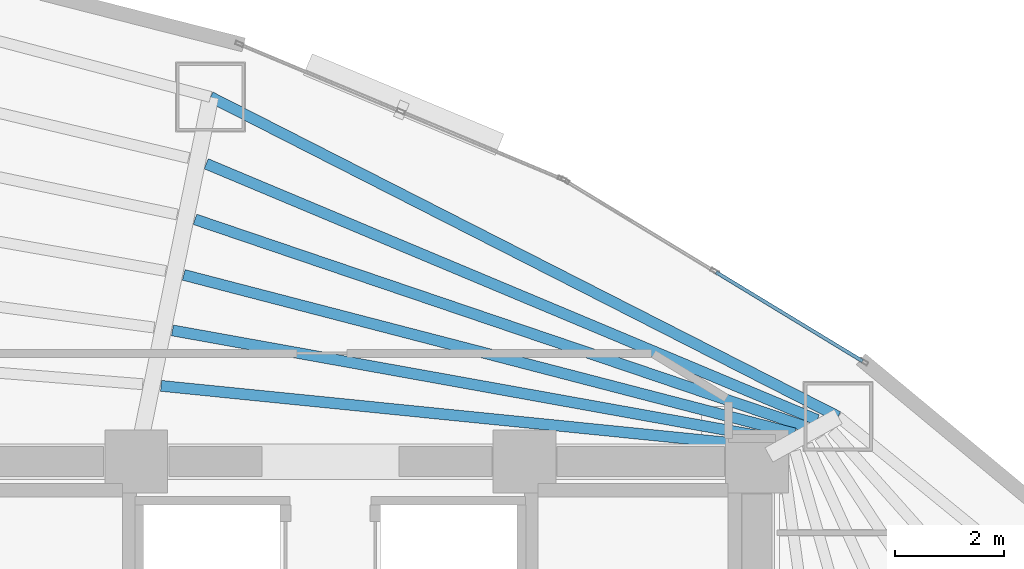
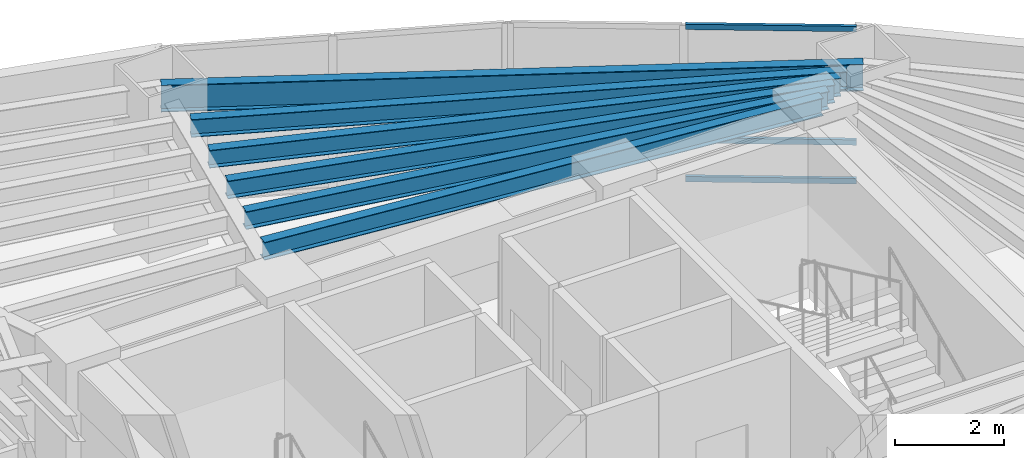
# One storey, part 10 of 18: 6 beams, 3 members, 1 element without a shape of its own.
"""IFC4 building model written with IfcOpenShell, lengths in metres."""

from ifc_helpers import new_model, si_unit, direction, frame, origin, origin_2d, place, context, subcontext, project, spatial, hollow_rectangle, i_section, extrude, material, layer, layer_set, material_profile, profile_set, type_object, element, aggregate, save


model = new_model("IFC4")

# Units and contexts
model_context = context("Model", 3, precision=1e-05, world=origin(), true_north=direction((0.0, 1.0)))
body_context = subcontext(model_context, "Body", "Model", "MODEL_VIEW")
ifc_project = project(units=[si_unit("LENGTHUNIT", "METRE"), si_unit("AREAUNIT", "SQUARE_METRE"), si_unit("VOLUMEUNIT", "CUBIC_METRE"), si_unit("PLANEANGLEUNIT", "RADIAN"), si_unit("MASSUNIT", "GRAM", prefix="KILO")], contexts=[model_context])

# Site, building, storey
site_placement = place(None, origin())
site = spatial("IfcSite", under=ifc_project, at=site_placement, CompositionType="ELEMENT")
building_placement = place(site_placement, origin())
building = spatial("IfcBuilding", under=site, at=building_placement, Name="Menara Vayukalpa", CompositionType="ELEMENT")
storey_placement = place(building_placement, frame((0.0, 0.0, 89.10009765625)))
storey = spatial("IfcBuildingStorey", under=building, at=storey_placement, Name="L21", CompositionType="ELEMENT", Elevation=89.10009765625)

# Beams
ifc_material_1 = material(Name="Steel S355", Category="steel")
ifc_material_profile_1 = material_profile(ifc_material_1, i_section(OverallWidth=0.199951171875, OverallDepth=0.39990234375, WebThickness=0.008056640625, FlangeThickness=0.012939453125, at=origin_2d()), Name="WF 400x200x8x13")
ifc_profile_set_1 = profile_set([ifc_material_profile_1], Name="Steel S355")
beam_type_1 = type_object("IfcBeamType", Name="BM-SJ2", PredefinedType="JOIST", material=ifc_profile_set_1)
beam_1_placement = place(storey_placement, frame((33.677978515625, 27.06396484375, 3.27001953125), z_axis=(-0.995012836574, 0.099746955103, 0.0), x_axis=(-0.099746955103, -0.995012836574, 0.0)))
element("IfcBeam", 1, at=beam_1_placement, inside=storey, type_object=beam_type_1, Name="L21 Secondary Floor Joist SJ02-1", PredefinedType="JOIST", context=body_context, shape_type="SweptSolid", body=[
    extrude(i_section(OverallWidth=0.199951171875, OverallDepth=0.39990234375, WebThickness=0.008056640625, FlangeThickness=0.012939453125, at=origin_2d()), origin(), (0.0, 0.0, 1.0), 11.2294921875),
])
beam_2_placement = place(storey_placement, frame((33.882568359375, 27.189208984375, 3.27001953125), z_axis=(-0.984205443357, 0.177030068819, 0.0), x_axis=(-0.177030068819, -0.984205443357, 0.0)))
element("IfcBeam", 2, at=beam_2_placement, inside=storey, type_object=beam_type_1, Name="L21 Secondary Floor Joist SJ02-2", PredefinedType="JOIST", context=body_context, shape_type="SweptSolid", body=[
    extrude(i_section(OverallWidth=0.199951171875, OverallDepth=0.39990234375, WebThickness=0.008056640625, FlangeThickness=0.012939453125, at=origin_2d()), origin(), (0.0, 0.0, 1.0), 11.349853515625),
])
beam_3_placement = place(storey_placement, frame((34.08837890625, 27.31396484375, 3.27001953125), z_axis=(-0.967921665574, 0.251252162802, 0.0), x_axis=(-0.251252162802, -0.967921665574, 0.0)))
element("IfcBeam", 3, at=beam_3_placement, inside=storey, type_object=beam_type_1, Name="L21 Secondary Floor Joist SJ02-3", PredefinedType="JOIST", context=body_context, shape_type="SweptSolid", body=[
    extrude(i_section(OverallWidth=0.199951171875, OverallDepth=0.39990234375, WebThickness=0.008056640625, FlangeThickness=0.012939453125, at=origin_2d()), origin(), (0.0, 0.0, 1.0), 11.539794921875),
])
beam_4_placement = place(storey_placement, frame((34.294677734375, 27.43798828125, 3.27001953125), z_axis=(-0.94694934653, 0.321382848183, 0.0), x_axis=(-0.321382848183, -0.94694934653, 0.0)))
element("IfcBeam", 4, at=beam_4_placement, inside=storey, type_object=beam_type_1, Name="L21 Secondary Floor Joist SJ02-4", PredefinedType="JOIST", context=body_context, shape_type="SweptSolid", body=[
    extrude(i_section(OverallWidth=0.199951171875, OverallDepth=0.39990234375, WebThickness=0.008056640625, FlangeThickness=0.012939453125, at=origin_2d()), origin(), (0.0, 0.0, 1.0), 11.7958984375),
])
beam_5_placement = place(storey_placement, frame((34.501708984375, 27.561279296875, 3.27001953125), z_axis=(-0.922216637658, 0.386673600375, 0.0), x_axis=(-0.386673600375, -0.922216637658, 0.0)))
element("IfcBeam", 5, at=beam_5_placement, inside=storey, type_object=beam_type_1, Name="L21 Secondary Floor Joist SJ02-5", PredefinedType="JOIST", context=body_context, shape_type="SweptSolid", body=[
    extrude(i_section(OverallWidth=0.199951171875, OverallDepth=0.39990234375, WebThickness=0.008056640625, FlangeThickness=0.012939453125, at=origin_2d()), origin(), (0.0, 0.0, 1.0), 12.114501953125),
])
ifc_material_2 = material(Name="Steel S355", Category="steel")
ifc_material_profile_2 = material_profile(ifc_material_2, i_section(OverallWidth=0.199951171875, OverallDepth=0.60009765625, WebThickness=0.010986328125, FlangeThickness=0.01708984375, at=origin_2d()), Name="WF 600x200x11x17")
ifc_profile_set_2 = profile_set([ifc_material_profile_2], Name="Steel S355")
beam_type_2 = type_object("IfcBeamType", Name="BM-SP1", PredefinedType="SPANDREL", material=ifc_profile_set_2)
beam_6_placement = place(storey_placement, frame((34.88671875, 27.62158203125, 3.169921875), z_axis=(-0.891097345221, 0.453812209333, 0.0), x_axis=(-0.453812209333, -0.891097345221, 0.0)))
element("IfcBeam", 6, at=beam_6_placement, inside=storey, type_object=beam_type_2, Name="L21 Perimeter Spandrel Beam SP02", PredefinedType="SPANDREL", context=body_context, shape_type="SweptSolid", body=[
    extrude(i_section(OverallWidth=0.199951171875, OverallDepth=0.60009765625, WebThickness=0.010986328125, FlangeThickness=0.01708984375, at=origin_2d()), origin(), (0.0, 0.0, 1.0), 12.88134765625),
])

# Curtain wall, members
ifc_material_3 = material(Name="Anodised Terracotta Aluminium Alloy 6063-T6", Category="masonry")
ifc_layer = layer(ifc_material_3, 0.14990234375)
ifc_layer_set = layer_set([ifc_layer], Name="Anodised Terracotta Aluminium Alloy 6063-T6")
curtain_wall_type = type_object("IfcCurtainWallType", Name="CW-CW3", PredefinedType="USERDEFINED", material=ifc_layer_set)
curtain_wall_placement = place(storey_placement, origin())
curtain_wall = element("IfcCurtainWall", 7, at=curtain_wall_placement, inside=storey, type_object=curtain_wall_type, Name="L21 Mid Rise Terracotta Ribbon Curtain Wall CW3 04", ObjectType="UNITISED", PredefinedType="USERDEFINED")
ifc_material_4 = material(Name="Anodised Terracotta Aluminium Alloy 6063-T6", Category="masonry")
ifc_material_profile_3 = material_profile(ifc_material_4, hollow_rectangle(XDim=0.06494140625, YDim=0.1201171875, WallThickness=0.00341796875, at=origin_2d()), Name="ALU 65x120x3.5")
ifc_profile_set_3 = profile_set([ifc_material_profile_3], Name="Anodised Terracotta Aluminium Alloy 6063-T6")
member_type = type_object("IfcMemberType", Name="CWT-CW3", PredefinedType="USERDEFINED", material=ifc_profile_set_3)
member_1_placement = place(storey_placement, frame((35.33056640625, 28.6357421875, 0.032470703125), z_axis=(-0.854673871166, 0.519165266506, 0.0), x_axis=(-0.519165266506, -0.854673871166, 0.0)))
member_1 = element("IfcMember", 8, at=member_1_placement, type_object=member_type, Name="CW3 transom 1.1", ObjectType="TRANSOM", PredefinedType="USERDEFINED", context=body_context, shape_type="SweptSolid", body=[
    extrude(hollow_rectangle(XDim=0.06494140625, YDim=0.1201171875, WallThickness=0.00341796875, at=origin_2d()), origin(), (0.0, 0.0, 1.0), 3.1318359375),
])
member_2_placement = place(storey_placement, frame((35.33056640625, 28.6357421875, 0.89990234375), z_axis=(-0.854673871166, 0.519165266506, 0.0), x_axis=(-0.519165266506, -0.854673871166, 0.0)))
member_2 = element("IfcMember", 9, at=member_2_placement, type_object=member_type, Name="CW3 transom 1.2", ObjectType="TRANSOM", PredefinedType="USERDEFINED", context=body_context, shape_type="SweptSolid", body=[
    extrude(hollow_rectangle(XDim=0.06494140625, YDim=0.1201171875, WallThickness=0.00341796875, at=origin_2d()), origin(), (0.0, 0.0, 1.0), 3.1318359375),
])
member_3_placement = place(storey_placement, frame((35.33056640625, 28.6357421875, 3.4375), z_axis=(-0.854673871166, 0.519165266506, 0.0), x_axis=(-0.519165266506, -0.854673871166, 0.0)))
member_3 = element("IfcMember", 10, at=member_3_placement, type_object=member_type, Name="CW3 transom 1.3", ObjectType="TRANSOM", PredefinedType="USERDEFINED", context=body_context, shape_type="SweptSolid", body=[
    extrude(hollow_rectangle(XDim=0.06494140625, YDim=0.1201171875, WallThickness=0.00341796875, at=origin_2d()), origin(), (0.0, 0.0, 1.0), 3.1318359375),
])
aggregate(curtain_wall, [member_1, member_2, member_3])

save(model, "model.ifc")
